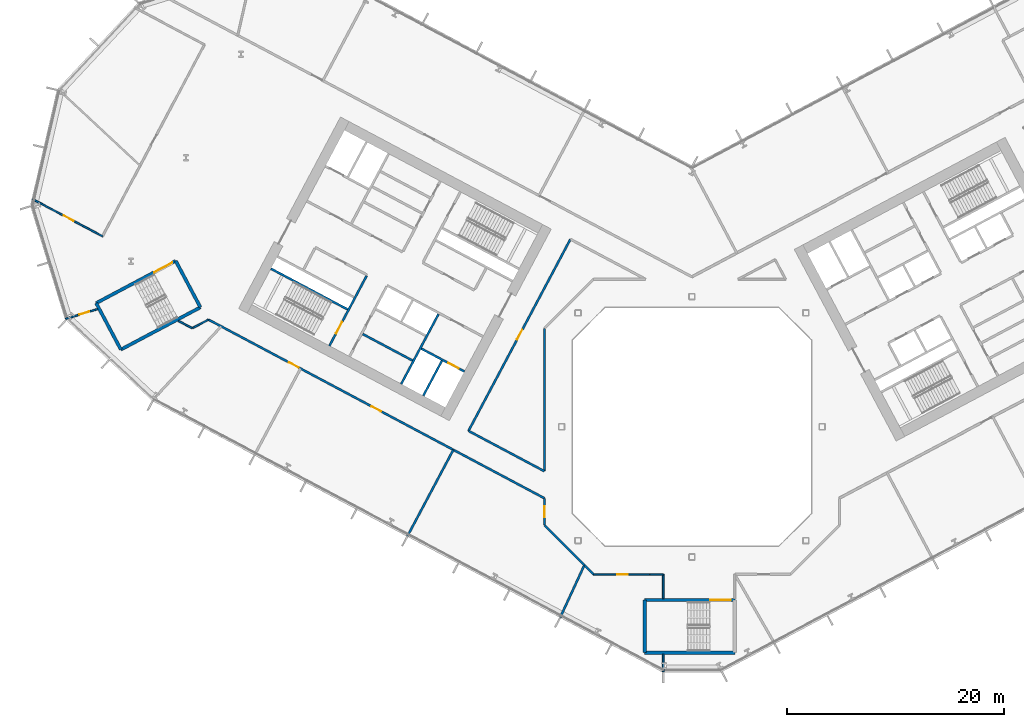
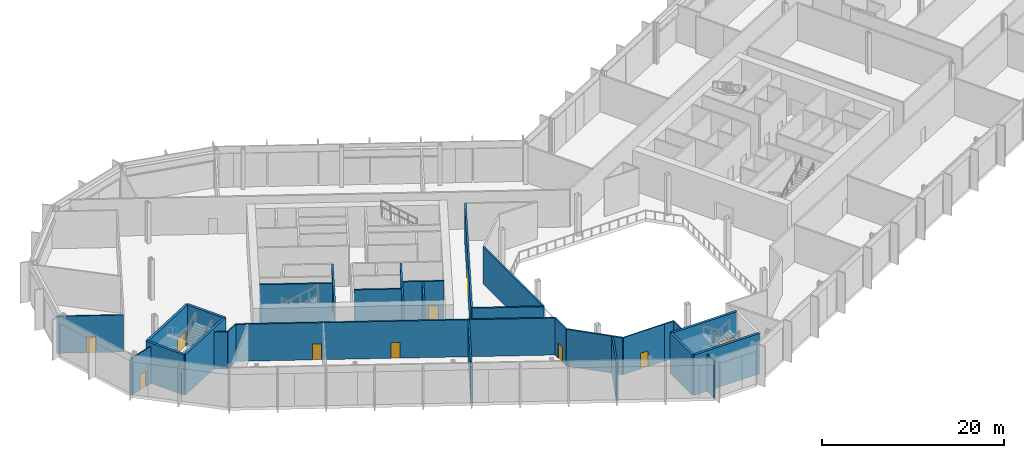
# One storey, part 12 of 32: 30 walls, 11 doors, 11 openings.
"""IFC4 building model written with IfcOpenShell, lengths in metres."""

from ifc_helpers import new_model, si_unit, direction, frame, frame_2d, origin, place, context, subcontext, project, spatial, rectangle, extrude, material, layer, layer_set, type_object, element, fill, save


model = new_model("IFC4")

# Units and contexts
model_context = context("Model", 3, precision=1e-05, world=origin(), true_north=direction((0.0, 1.0)))
body_context = subcontext(model_context, "Body", "Model", "MODEL_VIEW")
ifc_project = project(units=[si_unit("LENGTHUNIT", "METRE"), si_unit("AREAUNIT", "SQUARE_METRE"), si_unit("VOLUMEUNIT", "CUBIC_METRE"), si_unit("PLANEANGLEUNIT", "RADIAN"), si_unit("MASSUNIT", "GRAM", prefix="KILO")], contexts=[model_context])

# Site, building, storey
site_placement = place(None, origin())
site = spatial("IfcSite", under=ifc_project, at=site_placement, CompositionType="ELEMENT")
building_placement = place(site_placement, origin())
building = spatial("IfcBuilding", under=site, at=building_placement, Name="Cormorant Relay Tower", CompositionType="ELEMENT")
storey_placement = place(building_placement, frame((0.0, 0.0, 28.39990234375)))
storey = spatial("IfcBuildingStorey", under=building, at=storey_placement, Name="L05", CompositionType="ELEMENT", Elevation=28.39990234375)

# Walls
ifc_material_1 = material(Name="Concrete 40 MPa", Category="concrete")
ifc_layer_1 = layer(ifc_material_1, 0.199951171875)
ifc_layer_set_1 = layer_set([ifc_layer_1], Name="Core internal wall 200")
wall_type_1 = type_object("IfcWallType", Name="Core internal wall 200", PredefinedType="SOLIDWALL", material=ifc_layer_set_1)
wall_1_placement = place(storey_placement, frame((-25.7490234375, 6.102783203125, 0.0), z_axis=(0.0, 0.0, 1.0), x_axis=(-0.882953967957, 0.469459572775, 0.0)))
element("IfcWall", 1, at=wall_1_placement, inside=storey, type_object=wall_type_1, Name="L05 core A shaft and room wall", PredefinedType="SOLIDWALL", context=body_context, shape_type="SweptSolid", body=[
    extrude(rectangle(XDim=5.199951171875, YDim=0.199951171875, at=frame_2d((2.60009765625, 0.0))), origin(), (0.0, 0.0, 1.0), 5.400146484375),
])
ifc_material_2 = material(Name="Concrete 50 MPa", Category="concrete")
ifc_layer_2 = layer(ifc_material_2, 0.199951171875)
ifc_layer_set_2 = layer_set([ifc_layer_2], Name="Core shaft wall 200")
wall_type_2 = type_object("IfcWallType", Name="Core shaft wall 200", PredefinedType="SHEAR", material=ifc_layer_set_2)
wall_2_placement = place(storey_placement, frame((-23.04296875, 6.07958984375, 0.0), z_axis=(0.0, 0.0, 1.0), x_axis=(-0.469494272526, -0.882935517501, 0.0)))
element("IfcWall", 2, at=wall_2_placement, inside=storey, type_object=wall_type_2, Name="L05 core A shaft wall", PredefinedType="SHEAR", context=body_context, shape_type="SweptSolid", body=[
    extrude(rectangle(XDim=3.64990234375, YDim=0.199951171875, at=frame_2d((1.824951171875, 0.0))), origin(), (0.0, 0.0, 1.0), 5.400146484375),
])
wall_3_placement = place(storey_placement, frame((-23.360107421875, 10.38232421875, 0.0), z_axis=(0.0, 0.0, 1.0), x_axis=(-0.469480409012, -0.88294288918, 0.0)))
element("IfcWall", 3, at=wall_3_placement, inside=storey, type_object=wall_type_2, Name="L05 core A shaft wall", PredefinedType="SHEAR", context=body_context, shape_type="SweptSolid", body=[
    extrude(rectangle(XDim=7.300048828125, YDim=0.199951171875, at=frame_2d((3.64990234375, 0.0))), origin(), (0.0, 0.0, 1.0), 5.400146484375),
])

# Wall, opening, door
wall_4_placement = place(storey_placement, frame((-29.982421875, 13.9033203125, 0.0), z_axis=(0.0, 0.0, 1.0), x_axis=(-0.469454336211, -0.882956752176, 0.0)))
wall_4 = element("IfcWall", 4, at=wall_4_placement, inside=storey, type_object=wall_type_2, Name="L05 core A shaft wall", PredefinedType="SHEAR", context=body_context, shape_type="SweptSolid", body=[
    extrude(rectangle(XDim=7.300048828125, YDim=0.199951171875, at=frame_2d((3.64990234375, 0.0))), origin(), (0.0, 0.0, 1.0), 5.400146484375),
])
opening_1_placement = place(wall_4_placement, frame((4.800048828125, 0.0, 0.0)))
opening_1 = element("IfcOpeningElement", 5, at=opening_1_placement, cuts=wall_4, Name="Opening CDB-020", PredefinedType="OPENING", context=body_context, shape_type="SweptSolid", body=[
    extrude(rectangle(XDim=1.199951171875, YDim=2.10009765625, at=frame_2d((0.60009765625, 1.050048828125))), frame((0.0, 0.10986328125, 0.0), z_axis=(0.0, -1.0, 0.0), x_axis=(1.0, 0.0, 0.0)), (0.0, 0.0, 1.0), 0.219970703125),
])
ifc_material_3 = material(Name="Steel fire door", Category="steel")
door_type_1 = type_object("IfcDoorType", Name="Core stair door 1200x2100", OperationType="SINGLE_SWING_LEFT", PredefinedType="DOOR", material=ifc_material_3)
door_1_placement = place(opening_1_placement, frame((1.199951171875, 0.0, 0.0), z_axis=(0.0, 0.0, 1.0), x_axis=(-1.0, 0.0, 0.0)))
door_1 = element("IfcDoor", 6, at=door_1_placement, inside=storey, type_object=door_type_1, Name="Core stair door 1200x2100", OperationType="SINGLE_SWING_RIGHT", OverallHeight=2.10009765625, OverallWidth=1.199951171875, PredefinedType="DOOR", context=body_context, shape_type="SweptSolid", body=[
    extrude(rectangle(XDim=1.199951171875, YDim=2.10009765625, at=frame_2d((0.60009765625, 1.050048828125))), frame((0.0, 0.02490234375, 0.0), z_axis=(0.0, -1.0, 0.0), x_axis=(1.0, 0.0, 0.0)), (0.0, 0.0, 1.0), 0.050048828125),
])
fill(opening_1, door_1)

wall_5_placement = place(storey_placement, frame((-20.96533203125, 5.088134765625, 0.0), z_axis=(0.0, 0.0, 1.0), x_axis=(-0.882925986334, 0.469512196493, 0.0)))
wall_5 = element("IfcWall", 7, at=wall_5_placement, inside=storey, type_object=wall_type_2, Name="L05 core A shaft wall", PredefinedType="SHEAR", context=body_context, shape_type="SweptSolid", body=[
    extrude(rectangle(XDim=4.5, YDim=0.199951171875, at=frame_2d((2.25, 0.0))), origin(), (0.0, 0.0, 1.0), 5.400146484375),
])
opening_2_placement = place(wall_5_placement, frame((0.60009765625, 0.0, 0.0)))
opening_2 = element("IfcOpeningElement", 8, at=opening_2_placement, cuts=wall_5, Name="Opening LD1-019", PredefinedType="OPENING", context=body_context, shape_type="SweptSolid", body=[
    extrude(rectangle(XDim=1.10009765625, YDim=2.10009765625, at=frame_2d((0.550048828125, 1.050048828125))), frame((0.0, 0.10986328125, 0.0), z_axis=(0.0, -1.0, 0.0), x_axis=(1.0, 0.0, 0.0)), (0.0, 0.0, 1.0), 0.219970703125),
])
ifc_material_4 = material(Name="Stainless steel 316", Category="steel")
door_type_2 = type_object("IfcDoorType", Name="Lift landing door 1100x2100", OperationType="DOUBLE_DOOR_SLIDING", PredefinedType="DOOR", material=ifc_material_4)
door_2_placement = place(opening_2_placement, origin())
door_2 = element("IfcDoor", 9, at=door_2_placement, inside=storey, type_object=door_type_2, Name="FF1 landing door", OperationType="DOUBLE_DOOR_SLIDING", OverallHeight=2.10009765625, OverallWidth=1.10009765625, PredefinedType="DOOR", context=body_context, shape_type="SweptSolid", body=[
    extrude(rectangle(XDim=1.10009765625, YDim=2.10009765625, at=frame_2d((0.550048828125, 1.050048828125))), frame((0.0, 0.02490234375, 0.0), z_axis=(0.0, -1.0, 0.0), x_axis=(1.0, 0.0, 0.0)), (0.0, 0.0, 1.0), 0.050048828125),
])
fill(opening_2, door_2)

# Wall
wall_6_placement = place(storey_placement, frame((-31.7373046875, 10.815673828125, 0.0), z_axis=(0.0, 0.0, 1.0), x_axis=(-0.882940221191, 0.469485426614, 0.0)))
element("IfcWall", 10, at=wall_6_placement, inside=storey, type_object=wall_type_2, Name="L05 core A shaft wall", PredefinedType="SHEAR", context=body_context, shape_type="SweptSolid", body=[
    extrude(rectangle(XDim=8.0, YDim=0.199951171875, at=frame_2d((4.0, 0.0))), origin(), (0.0, 0.0, 1.0), 5.400146484375),
])

# Wall, openings, doors
ifc_material_5 = material(Name="Fire-rated gypsum board partition")
ifc_layer_3 = layer(ifc_material_5, 0.199951171875)
ifc_layer_set_3 = layer_set([ifc_layer_3], Name="Fire-rated gypsum partition 200")
wall_type_3 = type_object("IfcWallType", Name="Fire-rated gypsum partition 200", PredefinedType="PARTITIONING", material=ifc_layer_set_3)
wall_7_placement = place(storey_placement, frame((-13.597900390625, -6.5849609375, 0.0), z_axis=(0.0, 0.0, 1.0), x_axis=(-0.882949042681, 0.469468836057, 0.0)))
wall_7 = element("IfcWall", 11, at=wall_7_placement, inside=storey, type_object=wall_type_3, Name="wall/L05/part/12", PredefinedType="PARTITIONING", context=body_context, shape_type="SweptSolid", body=[
    extrude(rectangle(XDim=35.058837890625, YDim=0.199951171875, at=frame_2d((17.529296875, 0.0))), origin(), (0.0, 0.0, 1.0), 4.9501953125),
])
opening_3_placement = place(wall_7_placement, frame((25.64990234375, 0.0, 0.0)))
opening_3 = element("IfcOpeningElement", 12, at=opening_3_placement, cuts=wall_7, Name="Opening FD1-034", PredefinedType="OPENING", context=body_context, shape_type="SweptSolid", body=[
    extrude(rectangle(XDim=1.0, YDim=2.10009765625, at=frame_2d((0.5, 1.050048828125))), frame((0.0, 0.10986328125, 0.0), z_axis=(0.0, -1.0, 0.0), x_axis=(1.0, 0.0, 0.0)), (0.0, 0.0, 1.0), 0.219970703125),
])
opening_4_placement = place(wall_7_placement, frame((17.050048828125, 0.0, 0.0)))
opening_4 = element("IfcOpeningElement", 13, at=opening_4_placement, cuts=wall_7, Name="Opening FD1-035", PredefinedType="OPENING", context=body_context, shape_type="SweptSolid", body=[
    extrude(rectangle(XDim=1.0, YDim=2.10009765625, at=frame_2d((0.5, 1.050048828125))), frame((0.0, 0.10986328125, 0.0), z_axis=(0.0, -1.0, 0.0), x_axis=(1.0, 0.0, 0.0)), (0.0, 0.0, 1.0), 0.219970703125),
])
ifc_material_6 = material(Name="Fire-rated steel door", Category="steel")
door_type_3 = type_object("IfcDoorType", Name="Fire door 1000 x 2100", OperationType="SINGLE_SWING_LEFT", PredefinedType="DOOR", material=ifc_material_6)
door_3_placement = place(opening_3_placement, origin())
door_3 = element("IfcDoor", 14, at=door_3_placement, inside=storey, type_object=door_type_3, Name="door/L05/16", OperationType="SINGLE_SWING_LEFT", OverallHeight=2.10009765625, OverallWidth=1.0, PredefinedType="DOOR", context=body_context, shape_type="SweptSolid", body=[
    extrude(rectangle(XDim=1.0, YDim=2.10009765625, at=frame_2d((0.5, 1.050048828125))), frame((0.0, 0.02490234375, 0.0), z_axis=(0.0, -1.0, 0.0), x_axis=(1.0, 0.0, 0.0)), (0.0, 0.0, 1.0), 0.050048828125),
])
fill(opening_3, door_3)
door_4_placement = place(opening_4_placement, origin())
door_4 = element("IfcDoor", 15, at=door_4_placement, inside=storey, type_object=door_type_3, Name="door/L05/17", OperationType="SINGLE_SWING_LEFT", OverallHeight=2.10009765625, OverallWidth=1.0, PredefinedType="DOOR", context=body_context, shape_type="SweptSolid", body=[
    extrude(rectangle(XDim=1.0, YDim=2.10009765625, at=frame_2d((0.5, 1.050048828125))), frame((0.0, 0.02490234375, 0.0), z_axis=(0.0, -1.0, 0.0), x_axis=(1.0, 0.0, 0.0)), (0.0, 0.0, 1.0), 0.050048828125),
])
fill(opening_4, door_4)

# Walls
wall_8_placement = place(storey_placement, frame((-21.988037109375, -2.1240234375, 0.0), z_axis=(0.0, 0.0, 1.0), x_axis=(-0.469475779988, -0.88294535052, 0.0)))
element("IfcWall", 16, at=wall_8_placement, inside=storey, type_object=wall_type_3, Name="wall/L05/part/15", PredefinedType="PARTITIONING", context=body_context, shape_type="SweptSolid", body=[
    extrude(rectangle(XDim=9.001708984375, YDim=0.199951171875, at=frame_2d((4.5009765625, 0.0))), origin(), (0.0, 0.0, 1.0), 4.9501953125),
])
wall_9_placement = place(storey_placement, frame((-9.9169921875, -12.757080078125, 0.0), z_axis=(0.0, 0.0, 1.0), x_axis=(-0.707083331725, 0.70713022987, 0.0)))
element("IfcWall", 17, at=wall_9_placement, inside=storey, type_object=wall_type_3, Name="wall/L05/part/17", PredefinedType="PARTITIONING", context=body_context, shape_type="SweptSolid", body=[
    extrude(rectangle(XDim=5.205810546875, YDim=0.199951171875, at=frame_2d((2.60302734375, 0.0))), origin(), (0.0, 0.0, 1.0), 4.9501953125),
])

# Wall, opening, door
wall_10_placement = place(storey_placement, frame((-13.597900390625, -9.075927734375, 0.0), z_axis=(0.0, 0.0, 1.0), x_axis=(0.0, 1.0, 0.0)))
wall_10 = element("IfcWall", 18, at=wall_10_placement, inside=storey, type_object=wall_type_3, Name="wall/L05/part/18", PredefinedType="PARTITIONING", context=body_context, shape_type="SweptSolid", body=[
    extrude(rectangle(XDim=2.473876953125, YDim=0.199951171875, at=frame_2d((1.23681640625, 0.0))), origin(), (0.0, 0.0, 1.0), 4.9501953125),
])
opening_5_placement = place(wall_10_placement, frame((0.75, 0.0, 0.0)))
opening_5 = element("IfcOpeningElement", 19, at=opening_5_placement, cuts=wall_10, Name="Opening FD1-036", PredefinedType="OPENING", context=body_context, shape_type="SweptSolid", body=[
    extrude(rectangle(XDim=1.0, YDim=2.10009765625, at=frame_2d((0.5, 1.050048828125))), frame((0.0, 0.10986328125, 0.0), z_axis=(0.0, -1.0, 0.0), x_axis=(1.0, 0.0, 0.0)), (0.0, 0.0, 1.0), 0.219970703125),
])
door_5_placement = place(opening_5_placement, origin())
door_5 = element("IfcDoor", 20, at=door_5_placement, inside=storey, type_object=door_type_3, Name="door/L05/18", OperationType="SINGLE_SWING_RIGHT", OverallHeight=2.10009765625, OverallWidth=1.0, PredefinedType="DOOR", context=body_context, shape_type="SweptSolid", body=[
    extrude(rectangle(XDim=1.0, YDim=2.10009765625, at=frame_2d((0.5, 1.050048828125))), frame((0.0, 0.02490234375, 0.0), z_axis=(0.0, -1.0, 0.0), x_axis=(1.0, 0.0, 0.0)), (0.0, 0.0, 1.0), 0.050048828125),
])
fill(opening_5, door_5)

# Walls
wall_11_placement = place(storey_placement, frame((-9.9169921875, -12.757080078125, 0.0), z_axis=(0.0, 0.0, 1.0), x_axis=(-0.418797645162, -0.908079584842, 0.0)))
element("IfcWall", 21, at=wall_11_placement, inside=storey, type_object=wall_type_3, Name="wall/L05/part/19", PredefinedType="PARTITIONING", context=body_context, shape_type="SweptSolid", body=[
    extrude(rectangle(XDim=5.2890625, YDim=0.199951171875, at=frame_2d((2.64453125, 0.0))), origin(), (0.0, 0.0, 1.0), 4.9501953125),
])
wall_12_placement = place(storey_placement, frame((-9.075927734375, -13.597900390625, 0.0), z_axis=(0.0, 0.0, 1.0), x_axis=(-0.707209416613, 0.707004130861, 0.0)))
element("IfcWall", 22, at=wall_12_placement, inside=storey, type_object=wall_type_3, Name="wall/L05/part/22", PredefinedType="PARTITIONING", context=body_context, shape_type="SweptSolid", body=[
    extrude(rectangle(XDim=1.189208984375, YDim=0.199951171875, at=frame_2d((0.5947265625, 0.0))), origin(), (0.0, 0.0, 1.0), 4.9501953125),
])

# Wall, opening, door
wall_13_placement = place(storey_placement, frame((-20.590087890625, -0.3798828125, 0.0), z_axis=(0.0, 0.0, 1.0), x_axis=(0.4694565083, 0.882955597306, 0.0)))
wall_13 = element("IfcWall", 23, at=wall_13_placement, inside=storey, type_object=wall_type_3, Name="wall/L05/part/56", PredefinedType="PARTITIONING", context=body_context, shape_type="SweptSolid", body=[
    extrude(rectangle(XDim=20.004150390625, YDim=0.199951171875, at=frame_2d((10.001953125, 0.0))), origin(), (0.0, 0.0, 1.0), 4.9501953125),
])
opening_6_placement = place(wall_13_placement, frame((9.550048828125, 0.0, 0.0)))
opening_6 = element("IfcOpeningElement", 24, at=opening_6_placement, cuts=wall_13, Name="Opening FD1-040", PredefinedType="OPENING", context=body_context, shape_type="SweptSolid", body=[
    extrude(rectangle(XDim=1.0, YDim=2.10009765625, at=frame_2d((0.5, 1.050048828125))), frame((0.0, 0.10986328125, 0.0), z_axis=(0.0, -1.0, 0.0), x_axis=(1.0, 0.0, 0.0)), (0.0, 0.0, 1.0), 0.219970703125),
])
door_6_placement = place(opening_6_placement, frame((1.0, 0.0, 0.0), z_axis=(0.0, 0.0, 1.0), x_axis=(-1.0, 0.0, 0.0)))
door_6 = element("IfcDoor", 25, at=door_6_placement, inside=storey, type_object=door_type_3, Name="door/L05/3", OperationType="SINGLE_SWING_LEFT", OverallHeight=2.10009765625, OverallWidth=1.0, PredefinedType="DOOR", context=body_context, shape_type="SweptSolid", body=[
    extrude(rectangle(XDim=1.0, YDim=2.10009765625, at=frame_2d((0.5, 1.050048828125))), frame((0.0, 0.02490234375, 0.0), z_axis=(0.0, -1.0, 0.0), x_axis=(1.0, 0.0, 0.0)), (0.0, 0.0, 1.0), 0.050048828125),
])
fill(opening_6, door_6)

# Walls
wall_14_placement = place(storey_placement, frame((-13.597900390625, 9.075927734375, 0.0), z_axis=(0.0, 0.0, 1.0), x_axis=(0.0, -1.0, 0.0)))
element("IfcWall", 26, at=wall_14_placement, inside=storey, type_object=wall_type_3, Name="wall/L05/part/60", PredefinedType="PARTITIONING", context=body_context, shape_type="SweptSolid", body=[
    extrude(rectangle(XDim=13.173828125, YDim=0.199951171875, at=frame_2d((6.5869140625, 0.0))), origin(), (0.0, 0.0, 1.0), 4.9501953125),
])
wall_15_placement = place(storey_placement, frame((-13.597900390625, -4.097900390625, 0.0), z_axis=(0.0, 0.0, 1.0), x_axis=(-0.88293683418, 0.469491796359, 0.0)))
element("IfcWall", 27, at=wall_15_placement, inside=storey, type_object=wall_type_3, Name="wall/L05/part/61", PredefinedType="PARTITIONING", context=body_context, shape_type="SweptSolid", body=[
    extrude(rectangle(XDim=7.919189453125, YDim=0.199951171875, at=frame_2d((3.95947265625, 0.0))), origin(), (0.0, 0.0, 1.0), 4.9501953125),
])

# Wall, opening, door
ifc_material_7 = material(Name="Gypsum board partition")
ifc_layer_4 = layer(ifc_material_7, 0.14990234375)
ifc_layer_set_4 = layer_set([ifc_layer_4], Name="Gypsum board partition 150")
wall_type_4 = type_object("IfcWallType", Name="Gypsum board partition 150", PredefinedType="PARTITIONING", material=ifc_layer_set_4)
wall_16_placement = place(storey_placement, frame((-60.787109375, 20.991943359375, 0.0), z_axis=(0.0, 0.0, 1.0), x_axis=(0.882995783921, -0.469380917356, 0.0)))
wall_16 = element("IfcWall", 28, at=wall_16_placement, inside=storey, type_object=wall_type_4, Name="wall/L05/part/1", PredefinedType="PARTITIONING", context=body_context, shape_type="SweptSolid", body=[
    extrude(rectangle(XDim=7.32861328125, YDim=0.14990234375, at=frame_2d((3.664306640625, 0.0))), origin(), (0.0, 0.0, 1.0), 4.9501953125),
])
opening_7_placement = place(wall_16_placement, frame((3.287109375, 0.0, 0.0)))
opening_7 = element("IfcOpeningElement", 29, at=opening_7_placement, cuts=wall_16, Name="Opening D1-016", PredefinedType="OPENING", context=body_context, shape_type="SweptSolid", body=[
    extrude(rectangle(XDim=1.0, YDim=2.10009765625, at=frame_2d((0.5, 1.050048828125))), frame((0.0, 0.0849609375, 0.0), z_axis=(0.0, -1.0, 0.0), x_axis=(1.0, 0.0, 0.0)), (0.0, 0.0, 1.0), 0.169921875),
])
ifc_material_8 = material(Name="Painted steel door", Category="steel")
door_type_4 = type_object("IfcDoorType", Name="Single door 1000 x 2100", OperationType="SINGLE_SWING_LEFT", PredefinedType="DOOR", material=ifc_material_8)
door_7_placement = place(opening_7_placement, origin())
door_7 = element("IfcDoor", 30, at=door_7_placement, inside=storey, type_object=door_type_4, Name="door/L05/2", OperationType="SINGLE_SWING_RIGHT", OverallHeight=2.10009765625, OverallWidth=1.0, PredefinedType="DOOR", context=body_context, shape_type="SweptSolid", body=[
    extrude(rectangle(XDim=1.0, YDim=2.10009765625, at=frame_2d((0.5, 1.050048828125))), frame((0.0, 0.02490234375, 0.0), z_axis=(0.0, -1.0, 0.0), x_axis=(1.0, 0.0, 0.0)), (0.0, 0.0, 1.0), 0.050048828125),
])
fill(opening_7, door_7)

wall_17_placement = place(storey_placement, frame((-54.7607421875, 10.847900390625, 0.0), z_axis=(0.0, 0.0, 1.0), x_axis=(-0.956301064033, -0.29238378021, 0.0)))
wall_17 = element("IfcWall", 31, at=wall_17_placement, inside=storey, type_object=wall_type_4, Name="wall/L05/part/5", PredefinedType="PARTITIONING", context=body_context, shape_type="SweptSolid", body=[
    extrude(rectangle(XDim=3.115478515625, YDim=0.14990234375, at=frame_2d((1.5576171875, 0.0))), origin(), (0.0, 0.0, 1.0), 4.9501953125),
])
opening_8_placement = place(wall_17_placement, frame((0.820068359375, 0.0, 0.0)))
opening_8 = element("IfcOpeningElement", 32, at=opening_8_placement, cuts=wall_17, Name="Opening D2-005", PredefinedType="OPENING", context=body_context, shape_type="SweptSolid", body=[
    extrude(rectangle(XDim=0.949951171875, YDim=2.10009765625, at=frame_2d((0.47509765625, 1.050048828125))), frame((0.0, 0.0849609375, 0.0), z_axis=(0.0, -1.0, 0.0), x_axis=(1.0, 0.0, 0.0)), (0.0, 0.0, 1.0), 0.169921875),
])
ifc_material_9 = material(Name="Timber door", Category="wood")
door_type_5 = type_object("IfcDoorType", Name="Toilet door 950 x 2100", OperationType="SINGLE_SWING_LEFT", PredefinedType="DOOR", material=ifc_material_9)
door_8_placement = place(opening_8_placement, origin())
door_8 = element("IfcDoor", 33, at=door_8_placement, inside=storey, type_object=door_type_5, Name="door/L05/15", OperationType="SINGLE_SWING_RIGHT", OverallHeight=2.10009765625, OverallWidth=0.949951171875, PredefinedType="DOOR", context=body_context, shape_type="SweptSolid", body=[
    extrude(rectangle(XDim=0.949951171875, YDim=2.10009765625, at=frame_2d((0.47509765625, 1.050048828125))), frame((0.0, 0.02490234375, 0.0), z_axis=(0.0, -1.0, 0.0), x_axis=(1.0, 0.0, 0.0)), (0.0, 0.0, 1.0), 0.050048828125),
])
fill(opening_8, door_8)

# Walls
wall_18_placement = place(storey_placement, frame((-44.56298828125, 9.868896484375, 0.0), z_axis=(0.0, 0.0, 1.0), x_axis=(-0.882863413573, -0.469629846766, 0.0)))
element("IfcWall", 34, at=wall_18_placement, inside=storey, type_object=wall_type_4, Name="wall/L05/part/10", PredefinedType="PARTITIONING", context=body_context, shape_type="SweptSolid", body=[
    extrude(rectangle(XDim=1.6796875, YDim=0.14990234375, at=frame_2d((0.83984375, 0.0))), origin(), (0.0, 0.0, 1.0), 4.9501953125),
])
wall_19_placement = place(storey_placement, frame((-46.0458984375, 9.080078125, 0.0), z_axis=(0.0, 0.0, 1.0), x_axis=(-0.882853180601, 0.469649083363, 0.0)))
element("IfcWall", 35, at=wall_19_placement, inside=storey, type_object=wall_type_4, Name="wall/L05/part/11", PredefinedType="PARTITIONING", context=body_context, shape_type="SweptSolid", body=[
    extrude(rectangle(XDim=1.45751953125, YDim=0.14990234375, at=frame_2d((0.728759765625, 0.0))), origin(), (0.0, 0.0, 1.0), 4.9501953125),
])

# Wall, opening, door
wall_20_placement = place(storey_placement, frame((-3.886962890625, -13.597900390625, 0.0), z_axis=(0.0, 0.0, 1.0), x_axis=(-1.0, 0.0, 0.0)))
wall_20 = element("IfcWall", 36, at=wall_20_placement, inside=storey, type_object=wall_type_4, Name="wall/L05/part/21", PredefinedType="PARTITIONING", context=body_context, shape_type="SweptSolid", body=[
    extrude(rectangle(XDim=5.18896484375, YDim=0.14990234375, at=frame_2d((2.594482421875, 0.0))), origin(), (0.0, 0.0, 1.0), 4.9501953125),
])
opening_9_placement = place(wall_20_placement, frame((2.050048828125, 0.0, 0.0)))
opening_9 = element("IfcOpeningElement", 37, at=opening_9_placement, cuts=wall_20, Name="Opening D2-006", PredefinedType="OPENING", context=body_context, shape_type="SweptSolid", body=[
    extrude(rectangle(XDim=0.949951171875, YDim=2.10009765625, at=frame_2d((0.47509765625, 1.050048828125))), frame((0.0, 0.0849609375, 0.0), z_axis=(0.0, -1.0, 0.0), x_axis=(1.0, 0.0, 0.0)), (0.0, 0.0, 1.0), 0.169921875),
])
door_9_placement = place(opening_9_placement, origin())
door_9 = element("IfcDoor", 38, at=door_9_placement, inside=storey, type_object=door_type_5, Name="door/L05/19", OperationType="SINGLE_SWING_LEFT", OverallHeight=2.10009765625, OverallWidth=0.949951171875, PredefinedType="DOOR", context=body_context, shape_type="SweptSolid", body=[
    extrude(rectangle(XDim=0.949951171875, YDim=2.10009765625, at=frame_2d((0.47509765625, 1.050048828125))), frame((0.0, 0.02490234375, 0.0), z_axis=(0.0, -1.0, 0.0), x_axis=(1.0, 0.0, 0.0)), (0.0, 0.0, 1.0), 0.050048828125),
])
fill(opening_9, door_9)

# Walls
wall_21_placement = place(storey_placement, frame((-2.64892578125, -15.840087890625, 0.0), z_axis=(0.0, 0.0, 1.0), x_axis=(0.0, 1.0, 0.0)))
element("IfcWall", 39, at=wall_21_placement, inside=storey, type_object=wall_type_4, Name="wall/L05/part/23", PredefinedType="PARTITIONING", context=body_context, shape_type="SweptSolid", body=[
    extrude(rectangle(XDim=2.2421875, YDim=0.14990234375, at=frame_2d((1.12109375, 0.0))), origin(), (0.0, 0.0, 1.0), 4.9501953125),
])
wall_22_placement = place(storey_placement, frame((-2.64892578125, -13.597900390625, 0.0), z_axis=(0.0, 0.0, 1.0), x_axis=(-1.0, 0.0, 0.0)))
element("IfcWall", 40, at=wall_22_placement, inside=storey, type_object=wall_type_4, Name="wall/L05/part/24", PredefinedType="PARTITIONING", context=body_context, shape_type="SweptSolid", body=[
    extrude(rectangle(XDim=1.238037109375, YDim=0.14990234375, at=frame_2d((0.619140625, 0.0))), origin(), (0.0, 0.0, 1.0), 4.9501953125),
])
wall_23_placement = place(storey_placement, frame((-2.64892578125, -20.9599609375, 0.0), z_axis=(0.0, 0.0, 1.0), x_axis=(0.0, -1.0, 0.0)))
element("IfcWall", 41, at=wall_23_placement, inside=storey, type_object=wall_type_4, Name="wall/L05/part/25", PredefinedType="PARTITIONING", context=body_context, shape_type="SweptSolid", body=[
    extrude(rectangle(XDim=1.6220703125, YDim=0.14990234375, at=frame_2d((0.81103515625, 0.0))), origin(), (0.0, 0.0, 1.0), 4.9501953125),
])
ifc_material_10 = material(Name="Concrete 50 MPa", Category="concrete")
ifc_layer_5 = layer(ifc_material_10, 0.300048828125)
ifc_layer_set_5 = layer_set([ifc_layer_5], Name="Remote stair wall 300")
wall_type_5 = type_object("IfcWallType", Name="Remote stair wall 300", PredefinedType="SHEAR", material=ifc_layer_set_5)
wall_24_placement = place(storey_placement, frame((3.949951171875, -20.824951171875, 0.0), z_axis=(0.0, 0.0, 1.0), x_axis=(-1.0, 0.0, 0.0)))
element("IfcWall", 42, at=wall_24_placement, inside=storey, type_object=wall_type_5, Name="L05 exit stair RK1 wall", PredefinedType="SHEAR", context=body_context, shape_type="SweptSolid", body=[
    extrude(rectangle(XDim=8.300048828125, YDim=0.300048828125, at=frame_2d((4.14990234375, 0.0))), origin(), (0.0, 0.0, 1.0), 5.400146484375),
])
wall_25_placement = place(storey_placement, frame((-4.35009765625, -20.824951171875, 0.0), z_axis=(0.0, 0.0, 1.0), x_axis=(0.0, 1.0, 0.0)))
element("IfcWall", 43, at=wall_25_placement, inside=storey, type_object=wall_type_5, Name="L05 exit stair RK1 wall", PredefinedType="SHEAR", context=body_context, shape_type="SweptSolid", body=[
    extrude(rectangle(XDim=4.849853515625, YDim=0.300048828125, at=frame_2d((2.4248046875, 0.0))), origin(), (0.0, 0.0, 1.0), 5.400146484375),
])

# Wall, opening, door
wall_26_placement = place(storey_placement, frame((-4.35009765625, -15.97509765625, 0.0), z_axis=(0.0, 0.0, 1.0), x_axis=(1.0, 0.0, 0.0)))
wall_26 = element("IfcWall", 44, at=wall_26_placement, inside=storey, type_object=wall_type_5, Name="L05 exit stair RK1 wall", PredefinedType="SHEAR", context=body_context, shape_type="SweptSolid", body=[
    extrude(rectangle(XDim=8.300048828125, YDim=0.300048828125, at=frame_2d((4.14990234375, 0.0))), origin(), (0.0, 0.0, 1.0), 5.400146484375),
])
opening_10_placement = place(wall_26_placement, frame((6.050048828125, 0.0, 0.0)))
opening_10 = element("IfcOpeningElement", 45, at=opening_10_placement, cuts=wall_26, Name="Opening CDE-006", PredefinedType="OPENING", context=body_context, shape_type="SweptSolid", body=[
    extrude(rectangle(XDim=1.89990234375, YDim=2.10009765625, at=frame_2d((0.949951171875, 1.050048828125))), frame((0.0, 0.159912109375, 0.0), z_axis=(0.0, -1.0, 0.0), x_axis=(1.0, 0.0, 0.0)), (0.0, 0.0, 1.0), 0.320068359375),
])
ifc_material_11 = material(Name="Steel fire door", Category="steel")
door_type_6 = type_object("IfcDoorType", Name="Remote stair door 1900x2100", OperationType="DOUBLE_DOOR_SINGLE_SWING", PredefinedType="DOOR", material=ifc_material_11)
door_10_placement = place(opening_10_placement, frame((1.89990234375, 0.0, 0.0), z_axis=(0.0, 0.0, 1.0), x_axis=(-1.0, 0.0, 0.0)))
door_10 = element("IfcDoor", 46, at=door_10_placement, inside=storey, type_object=door_type_6, Name="Exit stair RK1 door", OperationType="DOUBLE_DOOR_SINGLE_SWING", OverallHeight=2.10009765625, OverallWidth=1.89990234375, PredefinedType="DOOR", context=body_context, shape_type="SweptSolid", body=[
    extrude(rectangle(XDim=1.89990234375, YDim=2.10009765625, at=frame_2d((0.949951171875, 1.050048828125))), frame((0.0, 0.02490234375, 0.0), z_axis=(0.0, -1.0, 0.0), x_axis=(1.0, 0.0, 0.0)), (0.0, 0.0, 1.0), 0.050048828125),
])
fill(opening_10, door_10)

# Walls
wall_27_placement = place(storey_placement, frame((-47.57421875, 15.28955078125, 0.0), z_axis=(0.0, 0.0, 1.0), x_axis=(0.469443498566, -0.882962514297, 0.0)))
element("IfcWall", 47, at=wall_27_placement, inside=storey, type_object=wall_type_5, Name="L05 exit stair RP1 wall", PredefinedType="SHEAR", context=body_context, shape_type="SweptSolid", body=[
    extrude(rectangle(XDim=4.85009765625, YDim=0.300048828125, at=frame_2d((2.425048828125, 0.0))), origin(), (0.0, 0.0, 1.0), 5.400146484375),
])
wall_28_placement = place(storey_placement, frame((-45.29736328125, 11.007080078125, 0.0), z_axis=(0.0, 0.0, 1.0), x_axis=(-0.882951519127, -0.469464178475, 0.0)))
element("IfcWall", 48, at=wall_28_placement, inside=storey, type_object=wall_type_5, Name="L05 exit stair RP1 wall", PredefinedType="SHEAR", context=body_context, shape_type="SweptSolid", body=[
    extrude(rectangle(XDim=8.2998046875, YDim=0.300048828125, at=frame_2d((4.14990234375, 0.0))), origin(), (0.0, 0.0, 1.0), 5.400146484375),
])
wall_29_placement = place(storey_placement, frame((-52.625732421875, 7.110595703125, 0.0), z_axis=(0.0, 0.0, 1.0), x_axis=(-0.469464364128, 0.882951420416, 0.0)))
element("IfcWall", 49, at=wall_29_placement, inside=storey, type_object=wall_type_5, Name="L05 exit stair RP1 wall", PredefinedType="SHEAR", context=body_context, shape_type="SweptSolid", body=[
    extrude(rectangle(XDim=4.849853515625, YDim=0.300048828125, at=frame_2d((2.4248046875, 0.0))), origin(), (0.0, 0.0, 1.0), 5.400146484375),
])

# Wall, opening, door
wall_30_placement = place(storey_placement, frame((-54.902587890625, 11.392822265625, 0.0), z_axis=(0.0, 0.0, 1.0), x_axis=(0.882939326045, 0.469487110071, 0.0)))
wall_30 = element("IfcWall", 50, at=wall_30_placement, inside=storey, type_object=wall_type_5, Name="L05 exit stair RP1 wall", PredefinedType="SHEAR", context=body_context, shape_type="SweptSolid", body=[
    extrude(rectangle(XDim=8.300048828125, YDim=0.300048828125, at=frame_2d((4.14990234375, 0.0))), origin(), (0.0, 0.0, 1.0), 5.400146484375),
])
opening_11_placement = place(wall_30_placement, frame((6.050048828125, 0.0, 0.0)))
opening_11 = element("IfcOpeningElement", 51, at=opening_11_placement, cuts=wall_30, Name="Opening CDE-007", PredefinedType="OPENING", context=body_context, shape_type="SweptSolid", body=[
    extrude(rectangle(XDim=1.89990234375, YDim=2.10009765625, at=frame_2d((0.949951171875, 1.050048828125))), frame((0.0, 0.159912109375, 0.0), z_axis=(0.0, -1.0, 0.0), x_axis=(1.0, 0.0, 0.0)), (0.0, 0.0, 1.0), 0.320068359375),
])
door_11_placement = place(opening_11_placement, frame((1.89990234375, 0.0, 0.0), z_axis=(0.0, 0.0, 1.0), x_axis=(-1.0, 0.0, 0.0)))
door_11 = element("IfcDoor", 52, at=door_11_placement, inside=storey, type_object=door_type_6, Name="Exit stair RP1 door", OperationType="DOUBLE_DOOR_SINGLE_SWING", OverallHeight=2.10009765625, OverallWidth=1.89990234375, PredefinedType="DOOR", context=body_context, shape_type="SweptSolid", body=[
    extrude(rectangle(XDim=1.89990234375, YDim=2.10009765625, at=frame_2d((0.949951171875, 1.050048828125))), frame((0.0, 0.02490234375, 0.0), z_axis=(0.0, -1.0, 0.0), x_axis=(1.0, 0.0, 0.0)), (0.0, 0.0, 1.0), 0.050048828125),
])
fill(opening_11, door_11)

save(model, "model.ifc")
